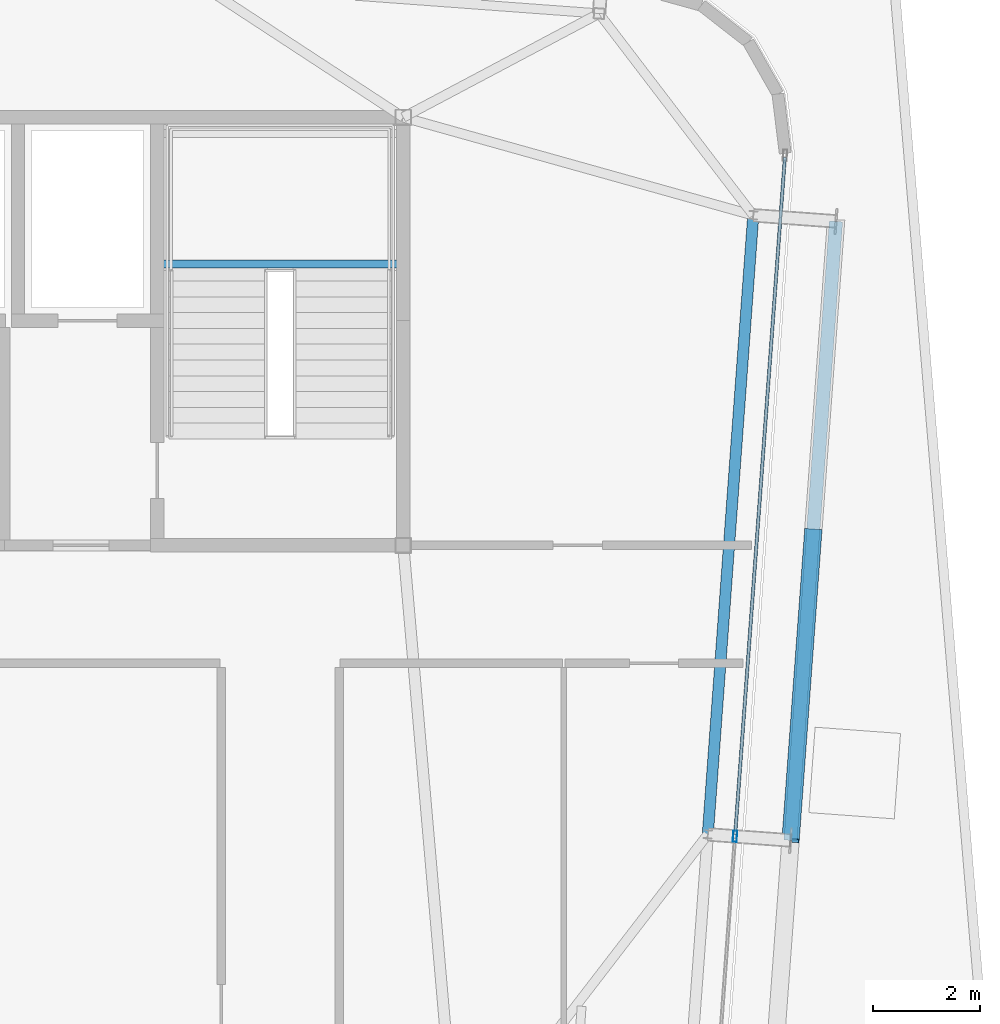
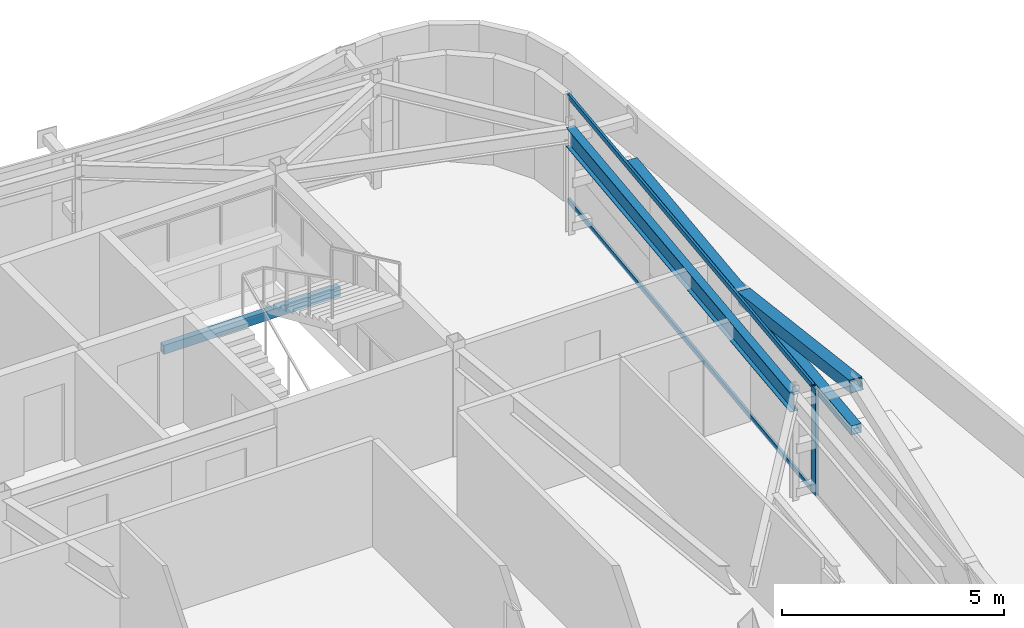
# One storey, part 18 of 37: 5 members, 2 beams, 1 element without a shape of its own.
"""IFC4 building model written with IfcOpenShell, lengths in metres."""

from ifc_helpers import new_model, si_unit, direction, frame, origin, origin_2d, place, context, subcontext, project, spatial, hollow_rectangle, i_section, extrude, source, transform, mapped, material, layer, layer_set, material_profile, profile_set, type_object, element, aggregate, save


model = new_model("IFC4")

# Units and contexts
model_context = context("Model", 3, precision=1e-05, world=origin(), true_north=direction((0.0, 1.0)))
body_context = subcontext(model_context, "Body", "Model", "MODEL_VIEW")
ifc_project = project(units=[si_unit("LENGTHUNIT", "METRE"), si_unit("AREAUNIT", "SQUARE_METRE"), si_unit("VOLUMEUNIT", "CUBIC_METRE"), si_unit("PLANEANGLEUNIT", "RADIAN"), si_unit("MASSUNIT", "GRAM", prefix="KILO")], contexts=[model_context])

# Site, building, storey
site_placement = place(None, origin())
site = spatial("IfcSite", under=ifc_project, at=site_placement, CompositionType="ELEMENT")
building_placement = place(site_placement, origin())
building = spatial("IfcBuilding", under=site, at=building_placement, Name="Taldren Reach Tower", CompositionType="ELEMENT")
storey_placement = place(building_placement, frame((0.0, 0.0, 211.39990234375)))
storey = spatial("IfcBuildingStorey", under=building, at=storey_placement, Name="L64", CompositionType="ELEMENT", Elevation=211.39990234375)

# Beam
ifc_material_1 = material(Name="Steel Gr 350 (350PLUS)", Category="steel")
ifc_material_profile_1 = material_profile(ifc_material_1, i_section(OverallWidth=0.208984375, OverallDepth=0.528076171875, WebThickness=0.009521484375, FlangeThickness=0.01318359375, at=origin_2d()), Name="530UB82.0")
ifc_profile_set_1 = profile_set([ifc_material_profile_1], Name="Steel Gr 350 (350PLUS)")
beam_type_1 = type_object("IfcBeamType", Name="SP-UB530B", PredefinedType="SPANDREL", material=ifc_profile_set_1)
shared_shape_1 = source(origin(), body_context, "Body", "SweptSolid", [
    extrude(i_section(OverallWidth=0.208984375, OverallDepth=0.528076171875, WebThickness=0.009521484375, FlangeThickness=0.01318359375, at=origin_2d()), origin(), (0.0, 0.0, 1.0), 11.60009765625),
])
beam_1_placement = place(storey_placement, frame((56.69140625, 18.599853515625, 2.666015625), z_axis=(0.073221234109, 0.997315722766, 0.0), x_axis=(-0.997315722766, 0.073221234109, 0.0)))
element("IfcBeam", 1, at=beam_1_placement, inside=storey, type_object=beam_type_1, Name="Perimeter spandrel B5 E2-E3 L64", PredefinedType="SPANDREL", context=body_context, shape_type="MappedRepresentation", body=[
    mapped(shared_shape_1, transform((0.0, 0.0, 0.0), scale=1.0)),
])

# Members
ifc_material_2 = material(Name="Steel Gr 450 (C450L0)", Category="steel")
ifc_material_profile_2 = material_profile(ifc_material_2, hollow_rectangle(XDim=0.324951171875, YDim=0.324951171875, WallThickness=0.0126953125, at=origin_2d()), Name="325x325x12.7SHS")
ifc_profile_set_2 = profile_set([ifc_material_profile_2], Name="Steel Gr 450 (C450L0)")
member_type_1 = type_object("IfcMemberType", Name="MB-BR324", PredefinedType="BRACE", material=ifc_profile_set_2)
shared_shape_2 = source(origin(), body_context, "Body", "SweptSolid", [
    extrude(hollow_rectangle(XDim=0.324951171875, YDim=0.324951171875, WallThickness=0.0126953125, at=origin_2d()), origin(), (0.0, 0.0, 1.0), 5.926025390625),
])
member_1_placement = place(storey_placement, frame((58.661865234375, 24.270751953125, 1.43505859375), z_axis=(-0.071685935393, -0.976123486939, 0.205046494513), x_axis=(0.997314185625, -0.073242167855, 0.0)))
element("IfcMember", 2, at=member_1_placement, inside=storey, type_object=member_type_1, Name="Exoskeleton Diagrid Brace B5-E2 L64", PredefinedType="BRACE", context=body_context, shape_type="MappedRepresentation", body=[
    mapped(shared_shape_2, transform((0.0, 0.0, 0.0), scale=1.0)),
])
ifc_material_3 = material(Name="Steel Gr 350 (C350L0)", Category="steel")
ifc_material_profile_3 = material_profile(ifc_material_3, hollow_rectangle(XDim=0.25, YDim=0.25, WallThickness=0.010009765625, at=origin_2d()), Name="250x250x10.0SHS")
ifc_profile_set_3 = profile_set([ifc_material_profile_3], Name="Steel Gr 350 (C350L0)")
member_type_2 = type_object("IfcMemberType", Name="MB-POST250", PredefinedType="POST", material=ifc_profile_set_3)
shared_shape_3 = source(origin(), body_context, "Body", "SweptSolid", [
    extrude(hollow_rectangle(XDim=0.25, YDim=0.25, WallThickness=0.010009765625, at=origin_2d()), origin(), (0.0, 0.0, 1.0), 11.60009765625),
])
member_2_placement = place(storey_placement, frame((58.237060546875, 18.486328125, 1.43505859375), z_axis=(0.073242167855, 0.997314185625, 0.0), x_axis=(-0.997314185625, 0.073242167855, 0.0)))
element("IfcMember", 3, at=member_2_placement, inside=storey, type_object=member_type_2, Name="Exoskeleton mid-height ring chord B5-E2 L64", PredefinedType="POST", context=body_context, shape_type="MappedRepresentation", body=[
    mapped(shared_shape_3, transform((0.0, 0.0, 0.0), scale=1.0)),
])

# Curtain wall, members
ifc_material_4 = material(Name="Aluminium and Low-E Glass Unitised System", Category="aluminium")
ifc_layer = layer(ifc_material_4, 0.159912109375)
ifc_layer_set = layer_set([ifc_layer], Name="Aluminium and Low-E Glass Unitised System")
curtain_wall_type = type_object("IfcCurtainWallType", Name="CW-SYS-6", PredefinedType="NOTDEFINED", material=ifc_layer_set)
curtain_wall_placement = place(storey_placement, origin())
curtain_wall = element("IfcCurtainWall", 4, at=curtain_wall_placement, inside=storey, type_object=curtain_wall_type, Name="Unitised curtain wall CW-L64-E", PredefinedType="NOTDEFINED")
ifc_material_5 = material(Name="Anodised Aluminium 6063-T6", Category="aluminium")
ifc_material_profile_4 = material_profile(ifc_material_5, hollow_rectangle(XDim=0.074951171875, YDim=0.2099609375, WallThickness=0.00439453125, at=origin_2d()), Name="ALU-210x75x4.5RHS")
ifc_profile_set_4 = profile_set([ifc_material_profile_4], Name="Anodised Aluminium 6063-T6")
member_type_3 = type_object("IfcMemberType", Name="CW-MUL-200", PredefinedType="MULLION", material=ifc_profile_set_4)
shared_shape_4 = source(origin(), body_context, "Body", "SweptSolid", [
    extrude(hollow_rectangle(XDim=0.074951171875, YDim=0.2099609375, WallThickness=0.00439453125, at=origin_2d()), origin(), (0.0, 0.0, 1.0), 2.93017578125),
])
member_3_placement = place(storey_placement, frame((57.199951171875, 18.5625, 0.0), z_axis=(0.0, 0.0, 1.0), x_axis=(-0.997314470951, 0.073238282558, 0.0)))
member_3 = element("IfcMember", 5, at=member_3_placement, type_object=member_type_3, Name="CW-6 mullion 2", PredefinedType="MULLION", context=body_context, shape_type="MappedRepresentation", body=[
    mapped(shared_shape_4, transform((0.0, 0.0, 0.0), scale=1.0)),
])
ifc_material_profile_5 = material_profile(ifc_material_5, hollow_rectangle(XDim=0.06005859375, YDim=0.135009765625, WallThickness=0.00341796875, at=origin_2d()), Name="ALU-135x60x3.5RHS")
ifc_profile_set_5 = profile_set([ifc_material_profile_5], Name="Anodised Aluminium 6063-T6")
member_type_4 = type_object("IfcMemberType", Name="CW-TRN-150", PredefinedType="USERDEFINED", material=ifc_profile_set_5)
shared_shape_5 = source(origin(), body_context, "Body", "SweptSolid", [
    extrude(hollow_rectangle(XDim=0.06005859375, YDim=0.135009765625, WallThickness=0.00341796875, at=origin_2d()), origin(), (0.0, 0.0, 1.0), 12.6875),
])
member_4_placement = place(storey_placement, frame((57.20263671875, 18.599853515625, 0.030029296875), z_axis=(0.073237997916, 0.997314491854, 0.0), x_axis=(-0.997314491854, 0.073237997916, 0.0)))
member_4 = element("IfcMember", 6, at=member_4_placement, type_object=member_type_4, Name="CW-6 transom 2.1", ObjectType="TRANSOM", PredefinedType="USERDEFINED", context=body_context, shape_type="MappedRepresentation", body=[
    mapped(shared_shape_5, transform((0.0, 0.0, 0.0), scale=1.0)),
])
member_5_placement = place(storey_placement, frame((57.20263671875, 18.599853515625, 2.900146484375), z_axis=(0.073237997916, 0.997314491854, 0.0), x_axis=(-0.997314491854, 0.073237997916, 0.0)))
member_5 = element("IfcMember", 7, at=member_5_placement, type_object=member_type_4, Name="CW-6 transom 2.2", ObjectType="TRANSOM", PredefinedType="USERDEFINED", context=body_context, shape_type="MappedRepresentation", body=[
    mapped(shared_shape_5, transform((0.0, 0.0, 0.0), scale=1.0)),
])
aggregate(curtain_wall, [member_3, member_4, member_5])

# Beam
ifc_material_profile_6 = material_profile(ifc_material_3, hollow_rectangle(XDim=0.14990234375, YDim=0.25, WallThickness=0.009033203125, at=origin_2d()), Name="250x150x9.0RHS")
ifc_profile_set_6 = profile_set([ifc_material_profile_6], Name="Steel Gr 350 (C350L0)")
beam_type_2 = type_object("IfcBeamType", Name="LN-RHS250", PredefinedType="LINTEL", material=ifc_profile_set_6)
shared_shape_6 = source(origin(), body_context, "Body", "SweptSolid", [
    extrude(hollow_rectangle(XDim=0.14990234375, YDim=0.25, WallThickness=0.009033203125, at=origin_2d()), origin(), (0.0, 0.0, 1.0), 4.60009765625),
])
beam_2_placement = place(storey_placement, frame((46.39990234375, 29.2548828125, 1.27001953125), z_axis=(1.0, 0.0, 0.0), x_axis=(0.0, 1.0, 0.0)))
element("IfcBeam", 8, at=beam_2_placement, inside=storey, type_object=beam_type_2, Name="Stair half-landing support beam ST2-L64-1", PredefinedType="LINTEL", context=body_context, shape_type="MappedRepresentation", body=[
    mapped(shared_shape_6, transform((0.0, 0.0, 0.0), scale=1.0)),
])

save(model, "model.ifc")
